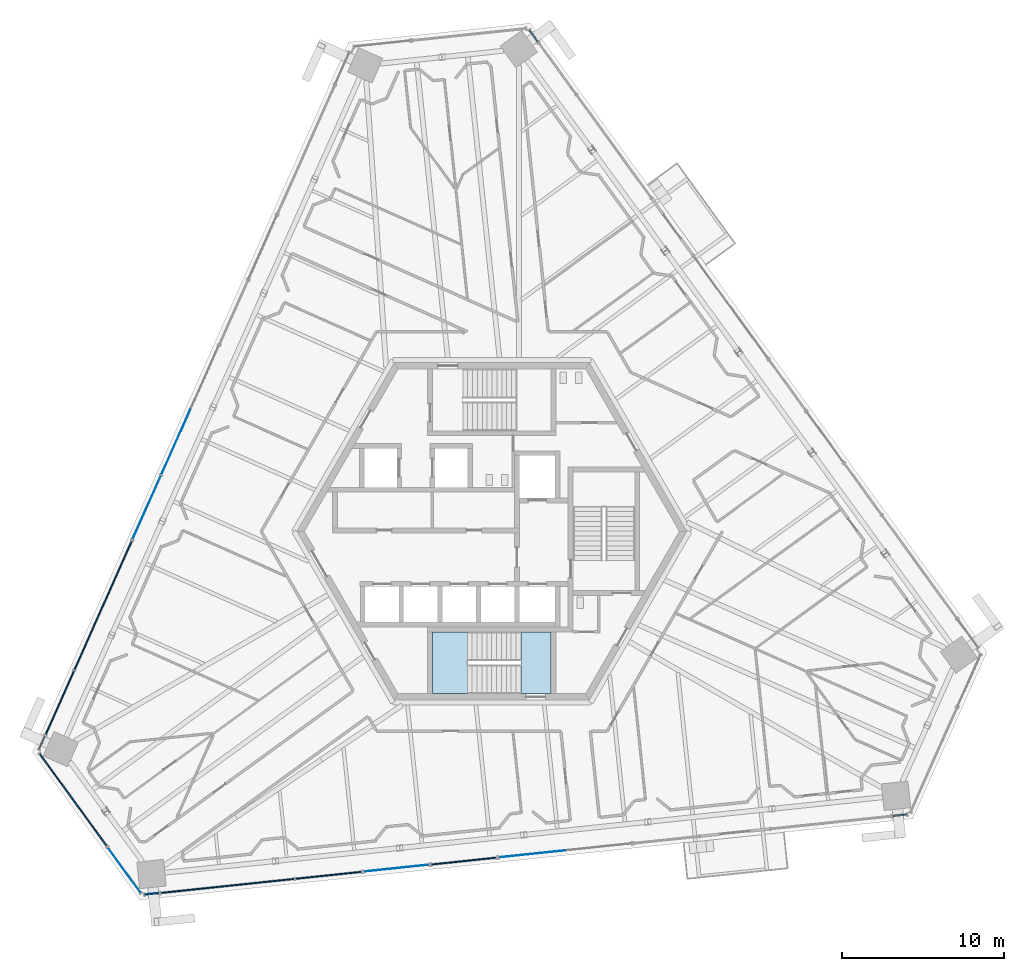
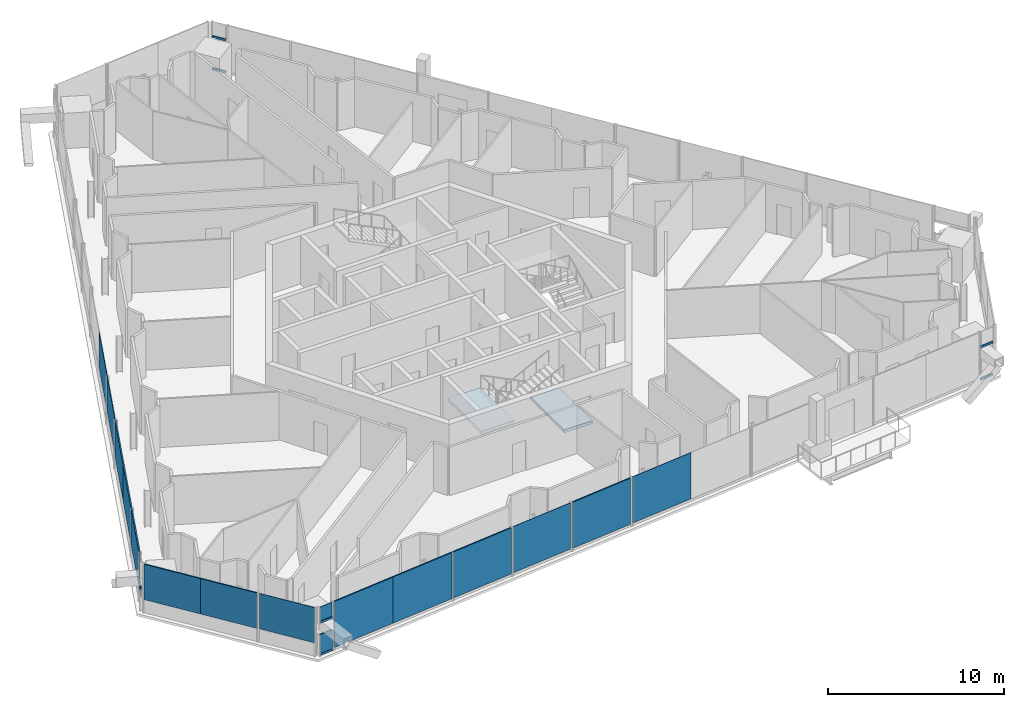
# One storey, part 11 of 26: 17 plates, 6 members, 2 slabs, 16 elements without a shape of their own.
"""IFC4 building model written with IfcOpenShell, lengths in metres."""

from ifc_helpers import new_model, si_unit, direction, frame, origin, origin_2d, place, context, subcontext, project, spatial, polyline, rectangle, outline, extrude, source, transform, mapped, material, layer, layer_set, material_profile, profile_set, type_object, element, aggregate, save


model = new_model("IFC4")

# Units and contexts
model_context = context("Model", 3, precision=1e-05, world=origin(), true_north=direction((0.0, 1.0)))
body_context = subcontext(model_context, "Body", "Model", "MODEL_VIEW")
ifc_project = project(units=[si_unit("LENGTHUNIT", "METRE"), si_unit("AREAUNIT", "SQUARE_METRE"), si_unit("VOLUMEUNIT", "CUBIC_METRE"), si_unit("PLANEANGLEUNIT", "RADIAN"), si_unit("MASSUNIT", "GRAM", prefix="KILO")], contexts=[model_context])

# Site, building, storey
site_placement = place(None, origin())
site = spatial("IfcSite", under=ifc_project, at=site_placement, CompositionType="ELEMENT")
building_placement = place(site_placement, origin())
building = spatial("IfcBuilding", under=site, at=building_placement, Name="Triune Harvest Tower", CompositionType="ELEMENT")
storey_placement = place(building_placement, frame((0.0, 0.0, 252.10009765625)))
storey = spatial("IfcBuildingStorey", under=building, at=storey_placement, Name="L66", CompositionType="ELEMENT", Elevation=252.10009765625)

# Curtain wall, member
ifc_material_1 = material(Name="Aluminium bronze anodised", Category="aluminium")
curtain_wall_type_1 = type_object("IfcCurtainWallType", Name="CW-10 Balcony window wall with insulated spandrel infill", PredefinedType="NOTDEFINED", material=ifc_material_1)
curtain_wall_1_placement = place(storey_placement, origin())
curtain_wall_1 = element("IfcCurtainWall", 1, at=curtain_wall_1_placement, inside=storey, type_object=curtain_wall_type_1, Name="CW-10 B6-F1 L66 run 102")
ifc_material_2 = material(Name="Aluminium bronze anodised", Category="aluminium")
ifc_material_profile = material_profile(ifc_material_2, rectangle(XDim=0.090087890625, YDim=0.14990234375, at=origin_2d()), Name="TR-6 transom 90 x 150")
ifc_profile_set = profile_set([ifc_material_profile], Name="Aluminium bronze anodised")
member_type = type_object("IfcMemberType", Name="TR-6 transom 90 x 150", PredefinedType="USERDEFINED", material=ifc_profile_set)
shared_shape_1 = source(origin(), body_context, "Body", "SweptSolid", [
    extrude(rectangle(XDim=0.090087890625, YDim=0.14990234375, at=origin_2d()), origin(), (0.0, 0.0, 1.0), 0.8466796875),
])
member_1_placement = place(storey_placement, frame((2.82373046875, 30.145263671875, 0.074951171875), z_axis=(-0.587657224731, 0.809109996367, 0.0), x_axis=(-0.809109996367, -0.587657224731, 0.0)))
member_1 = element("IfcMember", 2, at=member_1_placement, type_object=member_type, Name="CW-10 transom B6-F1 102.1", ObjectType="TRANSOM", PredefinedType="USERDEFINED", context=body_context, shape_type="MappedRepresentation", body=[
    mapped(shared_shape_1, transform((0.0, 0.0, 0.0), scale=1.0)),
])
aggregate(curtain_wall_1, [member_1])

ifc_material_3 = material(Name="Aluminium bronze anodised", Category="aluminium")
curtain_wall_type_2 = type_object("IfcCurtainWallType", Name="CW-6 Balcony window wall", PredefinedType="NOTDEFINED", material=ifc_material_3)
curtain_wall_2_placement = place(storey_placement, origin())
curtain_wall_2 = element("IfcCurtainWall", 3, at=curtain_wall_2_placement, inside=storey, type_object=curtain_wall_type_2, Name="CW-6 B6-F1 L66 run 202")
member_2_placement = place(storey_placement, frame((2.82373046875, 30.145263671875, 2.309814453125), z_axis=(-0.587657224731, 0.809109996367, 0.0), x_axis=(-0.809109996367, -0.587657224731, 0.0)))
member_2 = element("IfcMember", 4, at=member_2_placement, type_object=member_type, Name="CW-6 transom B6-F1 202.1", ObjectType="TRANSOM", PredefinedType="USERDEFINED", context=body_context, shape_type="MappedRepresentation", body=[
    mapped(shared_shape_1, transform((0.0, 0.0, 0.0), scale=1.0)),
])
aggregate(curtain_wall_2, [member_2])

curtain_wall_3_placement = place(storey_placement, origin())
curtain_wall_3 = element("IfcCurtainWall", 5, at=curtain_wall_3_placement, inside=storey, type_object=curtain_wall_type_1, Name="CW-10 B6-F5 L66 run 1")
member_3_placement = place(storey_placement, frame((-21.35498046875, -22.358154296875, 0.074951171875), z_axis=(0.994507032789, 0.104669774689, 0.0), x_axis=(-0.104669774689, 0.994507032789, 0.0)))
member_3 = element("IfcMember", 6, at=member_3_placement, type_object=member_type, Name="CW-10 transom B6-F5 1.1", ObjectType="TRANSOM", PredefinedType="USERDEFINED", context=body_context, shape_type="MappedRepresentation", body=[
    mapped(shared_shape_1, transform((0.0, 0.0, 0.0), scale=1.0)),
])

curtain_wall_4_placement = place(storey_placement, origin())
curtain_wall_4 = element("IfcCurtainWall", 7, at=curtain_wall_4_placement, inside=storey, type_object=curtain_wall_type_2, Name="CW-6 B6-F5 L66 run 101")
member_4_placement = place(storey_placement, frame((-21.35498046875, -22.358154296875, 2.309814453125), z_axis=(0.994507032789, 0.104669774689, 0.0), x_axis=(-0.104669774689, 0.994507032789, 0.0)))
member_4 = element("IfcMember", 8, at=member_4_placement, type_object=member_type, Name="CW-6 transom B6-F5 101.1", ObjectType="TRANSOM", PredefinedType="USERDEFINED", context=body_context, shape_type="MappedRepresentation", body=[
    mapped(shared_shape_1, transform((0.0, 0.0, 0.0), scale=1.0)),
])

curtain_wall_5_placement = place(storey_placement, origin())
curtain_wall_5 = element("IfcCurtainWall", 9, at=curtain_wall_5_placement, inside=storey, type_object=curtain_wall_type_1, Name="CW-10 B6-F5 L66 run 102")
shared_shape_2 = source(origin(), body_context, "Body", "SweptSolid", [
    extrude(rectangle(XDim=0.090087890625, YDim=0.14990234375, at=origin_2d()), origin(), (0.0, 0.0, 1.0), 0.846923828125),
])
member_5_placement = place(storey_placement, frame((24.694580078125, -17.51806640625, 0.074951171875), z_axis=(0.994510190486, 0.104639767869, 0.0), x_axis=(-0.104639767869, 0.994510190486, 0.0)))
member_5 = element("IfcMember", 10, at=member_5_placement, type_object=member_type, Name="CW-10 transom B6-F5 102.1", ObjectType="TRANSOM", PredefinedType="USERDEFINED", context=body_context, shape_type="MappedRepresentation", body=[
    mapped(shared_shape_2, transform((0.0, 0.0, 0.0), scale=1.0)),
])
aggregate(curtain_wall_5, [member_5])

curtain_wall_6_placement = place(storey_placement, origin())
curtain_wall_6 = element("IfcCurtainWall", 11, at=curtain_wall_6_placement, inside=storey, type_object=curtain_wall_type_2, Name="CW-6 B6-F5 L66 run 202")
member_6_placement = place(storey_placement, frame((24.694580078125, -17.51806640625, 2.309814453125), z_axis=(0.994510190486, 0.104639767869, 0.0), x_axis=(-0.104639767869, 0.994510190486, 0.0)))
member_6 = element("IfcMember", 12, at=member_6_placement, type_object=member_type, Name="CW-6 transom B6-F5 202.1", ObjectType="TRANSOM", PredefinedType="USERDEFINED", context=body_context, shape_type="MappedRepresentation", body=[
    mapped(shared_shape_2, transform((0.0, 0.0, 0.0), scale=1.0)),
])
aggregate(curtain_wall_6, [member_6])

# Curtain wall, plates
ifc_material_4 = material(Name="Aluminium bronze anodised", Category="aluminium")
curtain_wall_type_3 = type_object("IfcCurtainWallType", Name="CW-1 Tower stick curtain wall", PredefinedType="NOTDEFINED", material=ifc_material_4)
curtain_wall_7_placement = place(storey_placement, origin())
curtain_wall_7 = element("IfcCurtainWall", 13, at=curtain_wall_7_placement, inside=storey, type_object=curtain_wall_type_3, Name="CW-1 B6-F3 L66 run 3201")
ifc_material_5 = material(Name="Glass", Category="glass")
ifc_layer_1 = layer(ifc_material_5, 0.031982421875)
ifc_layer_set_1 = layer_set([ifc_layer_1], Name="Glass")
plate_type_1 = type_object("IfcPlateType", Name="GL-1 panel 32", PredefinedType="CURTAIN_PANEL", material=ifc_layer_set_1)
plate_1_placement = place(storey_placement, frame((-19.455322265625, 5.48291015625, 0.89990234375), z_axis=(0.0, 0.0, 1.0), x_axis=(-0.406733726114, -0.913546756352, 0.0)))
plate_1 = element("IfcPlate", 14, at=plate_1_placement, type_object=plate_type_1, Name="CW-1 panel B6-F3 3201.2", PredefinedType="CURTAIN_PANEL", context=body_context, shape_type="SweptSolid", body=[
    extrude(rectangle(XDim=4.346923828125, YDim=0.031982421875, at=origin_2d()), origin(), (0.0, 0.0, 1.0), 2.449951171875),
])
plate_2_placement = place(storey_placement, frame((-21.23876953125, 1.4775390625, 0.89990234375), z_axis=(0.0, 0.0, 1.0), x_axis=(-0.406733726114, -0.913546756352, 0.0)))
plate_2 = element("IfcPlate", 15, at=plate_2_placement, type_object=plate_type_1, Name="CW-1 panel B6-F3 3201.3", PredefinedType="CURTAIN_PANEL", context=body_context, shape_type="SweptSolid", body=[
    extrude(rectangle(XDim=4.27197265625, YDim=0.031982421875, at=origin_2d()), origin(), (0.0, 0.0, 1.0), 2.449951171875),
])
aggregate(curtain_wall_7, [plate_1, plate_2])

# Curtain wall, plate
curtain_wall_8_placement = place(storey_placement, origin())
curtain_wall_8 = element("IfcCurtainWall", 16, at=curtain_wall_8_placement, inside=storey, type_object=curtain_wall_type_2, Name="CW-6 B6-F5 L66 run 1201")
ifc_material_6 = material(Name="Glass", Category="glass")
ifc_layer_2 = layer(ifc_material_6, 0.030029296875)
ifc_layer_set_2 = layer_set([ifc_layer_2], Name="Glass")
plate_type_2 = type_object("IfcPlateType", Name="GL-6 panel 30", PredefinedType="CURTAIN_PANEL", material=ifc_layer_set_2)
plate_3_placement = place(storey_placement, frame((-5.88671875, -20.732421875, 0.14990234375), z_axis=(0.0, 0.0, 1.0), x_axis=(0.994521432054, 0.104532871319, 0.0)))
plate_3 = element("IfcPlate", 17, at=plate_3_placement, type_object=plate_type_2, Name="CW-6 panel B6-F5 1201.1", PredefinedType="CURTAIN_PANEL", context=body_context, shape_type="SweptSolid", body=[
    extrude(rectangle(XDim=4.030517578125, YDim=0.030029296875, at=origin_2d()), origin(), (0.0, 0.0, 1.0), 3.199951171875),
])
aggregate(curtain_wall_8, [plate_3])

# Curtain wall, plates
ifc_material_7 = material(Name="Aluminium bronze anodised", Category="aluminium")
curtain_wall_type_4 = type_object("IfcCurtainWallType", Name="CW-7 Tower stick curtain wall with insulated spandrel infill", PredefinedType="NOTDEFINED", material=ifc_material_7)
curtain_wall_9_placement = place(storey_placement, origin())
curtain_wall_9 = element("IfcCurtainWall", 18, at=curtain_wall_9_placement, inside=storey, type_object=curtain_wall_type_4, Name="CW-7 B6-F3 L66 run 4201")
ifc_material_8 = material(Name="Insulated spandrel panel, bronze aluminium pan", Category="aluminium")
ifc_layer_3 = layer(ifc_material_8, 0.080078125)
ifc_layer_set_3 = layer_set([ifc_layer_3], Name="Insulated spandrel panel, bronze aluminium pan")
plate_type_3 = type_object("IfcPlateType", Name="SP-1 insulated spandrel panel 80", PredefinedType="CURTAIN_PANEL", material=ifc_layer_set_3)
plate_4_placement = place(storey_placement, frame((-24.805419921875, -6.533447265625, 0.89990234375), z_axis=(0.0, 0.0, 1.0), x_axis=(-0.406740070891, -0.913543931473, 0.0)))
plate_4 = element("IfcPlate", 19, at=plate_4_placement, type_object=plate_type_3, Name="CW-7 panel B6-F3 4201.2", PredefinedType="CURTAIN_PANEL", context=body_context, shape_type="SweptSolid", body=[
    extrude(rectangle(XDim=4.346923828125, YDim=0.080078125, at=origin_2d()), origin(), (0.0, 0.0, 1.0), 2.449951171875),
])
plate_5_placement = place(storey_placement, frame((-26.5888671875, -10.538818359375, 0.89990234375), z_axis=(0.0, 0.0, 1.0), x_axis=(-0.406740070891, -0.913543931473, 0.0)))
plate_5 = element("IfcPlate", 20, at=plate_5_placement, type_object=plate_type_3, Name="CW-7 panel B6-F3 4201.3", PredefinedType="CURTAIN_PANEL", context=body_context, shape_type="SweptSolid", body=[
    extrude(rectangle(XDim=4.27197265625, YDim=0.080078125, at=origin_2d()), origin(), (0.0, 0.0, 1.0), 2.449951171875),
])

# Curtain wall, plate
curtain_wall_10_placement = place(storey_placement, origin())
curtain_wall_10 = element("IfcCurtainWall", 21, at=curtain_wall_10_placement, inside=storey, type_object=curtain_wall_type_4, Name="CW-7 B6-F3 L66 run 301")
plate_6_placement = place(storey_placement, frame((-27.69091796875, -13.013916015625, 0.89990234375), z_axis=(0.0, 0.0, 1.0), x_axis=(-0.406715509478, -0.913554866634, 0.0)))
plate_6 = element("IfcPlate", 22, at=plate_6_placement, type_object=plate_type_3, Name="CW-7 panel B6-F3 301.1", PredefinedType="CURTAIN_PANEL", context=body_context, shape_type="SweptSolid", body=[
    extrude(rectangle(XDim=0.8466796875, YDim=0.080078125, at=origin_2d()), origin(), (0.0, 0.0, 1.0), 0.56494140625),
])
aggregate(curtain_wall_10, [plate_6])

# Curtain wall, plates
curtain_wall_11_placement = place(storey_placement, origin())
curtain_wall_11 = element("IfcCurtainWall", 23, at=curtain_wall_11_placement, inside=storey, type_object=curtain_wall_type_1, Name="CW-10 B6-F5 L66 run 201")
plate_7_placement = place(storey_placement, frame((-18.322265625, -22.039306640625, 0.14990234375), z_axis=(0.0, 0.0, 1.0), x_axis=(0.994521519179, 0.104532042404, 0.0)))
plate_7 = element("IfcPlate", 24, at=plate_7_placement, type_object=plate_type_3, Name="CW-10 panel B6-F5 201.1", PredefinedType="CURTAIN_PANEL", context=body_context, shape_type="SweptSolid", body=[
    extrude(rectangle(XDim=4.10546875, YDim=0.080078125, at=origin_2d()), origin(), (0.0, 0.0, 1.0), 3.199951171875),
])
plate_8_placement = place(storey_placement, frame((-14.220458984375, -21.608154296875, 0.14990234375), z_axis=(0.0, 0.0, 1.0), x_axis=(0.994521519179, 0.104532042404, 0.0)))
plate_8 = element("IfcPlate", 25, at=plate_8_placement, type_object=plate_type_3, Name="CW-10 panel B6-F5 201.2", PredefinedType="CURTAIN_PANEL", context=body_context, shape_type="SweptSolid", body=[
    extrude(rectangle(XDim=4.14306640625, YDim=0.080078125, at=origin_2d()), origin(), (0.0, 0.0, 1.0), 3.199951171875),
])
plate_9_placement = place(storey_placement, frame((-10.062744140625, -21.171142578125, 0.14990234375), z_axis=(0.0, 0.0, 1.0), x_axis=(0.994521519179, 0.104532042404, 0.0)))
plate_9 = element("IfcPlate", 26, at=plate_9_placement, type_object=plate_type_3, Name="CW-10 panel B6-F5 201.3", PredefinedType="CURTAIN_PANEL", context=body_context, shape_type="SweptSolid", body=[
    extrude(rectangle(XDim=4.068115234375, YDim=0.080078125, at=origin_2d()), origin(), (0.0, 0.0, 1.0), 3.199951171875),
])
aggregate(curtain_wall_11, [plate_7, plate_8, plate_9])

# Stair, slabs
ifc_material_9 = material(Name="Concrete 40 MPa", Category="concrete")
stair_type = type_object("IfcStairType", Name="Exit stair 1800 half turn", PredefinedType="HALF_TURN_STAIR", material=ifc_material_9)
stair_placement = place(storey_placement, origin())
stair = element("IfcStair", 27, at=stair_placement, inside=storey, type_object=stair_type, Name="Exit stair south", PredefinedType="HALF_TURN_STAIR")
ifc_material_10 = material(Name="Concrete 40 MPa", Category="concrete")
ifc_layer_4 = layer(ifc_material_10, 0.199951171875)
ifc_layer_set_4 = layer_set([ifc_layer_4], Name="Concrete 40 MPa")
slab_type = type_object("IfcSlabType", Name="Stair landing 200", PredefinedType="LANDING", material=ifc_layer_set_4)
shared_shape_3 = source(origin(), body_context, "Body", "SweptSolid", [
    extrude(outline(polyline([(-1.510009765625, -6.18994140625), (-3.64990234375, -6.18994140625), (-3.64990234375, -9.989990234375), (-1.510009765625, -9.989990234375), (-1.510009765625, -6.18994140625)])), origin(), (0.0, 0.0, 1.0), 0.199951171875),
])
slab_1_placement = place(storey_placement, frame((0.0, 0.0, 1.599853515625)))
slab_1 = element("IfcSlab", 28, at=slab_1_placement, type_object=slab_type, Name="ST-2 landing 2", PredefinedType="LANDING", context=body_context, shape_type="MappedRepresentation", body=[
    mapped(shared_shape_3, transform((0.0, 0.0, 0.0), scale=1.0)),
])
shared_shape_4 = source(origin(), body_context, "Body", "SweptSolid", [
    extrude(outline(polyline([(3.64990234375, -6.18994140625), (1.780029296875, -6.18994140625), (1.780029296875, -9.989990234375), (3.64990234375, -9.989990234375), (3.64990234375, -6.18994140625)])), origin(), (0.0, 0.0, 1.0), 0.2001953125),
])
slab_2_placement = place(storey_placement, frame((0.0, 0.0, -0.2001953125)))
slab_2 = element("IfcSlab", 29, at=slab_2_placement, type_object=slab_type, Name="ST-2 landing 1", PredefinedType="LANDING", context=body_context, shape_type="MappedRepresentation", body=[
    mapped(shared_shape_4, transform((0.0, 0.0, 0.0), scale=1.0)),
])
aggregate(stair, [slab_2, slab_1])

# Plate
shared_shape_5 = source(origin(), body_context, "Body", "SweptSolid", [
    extrude(rectangle(XDim=0.8466796875, YDim=0.080078125, at=origin_2d()), origin(), (0.0, 0.0, 1.0), 1.31494140625),
])
plate_10_placement = place(storey_placement, frame((-20.933837890625, -22.31396484375, 0.14990234375), z_axis=(0.0, 0.0, 1.0), x_axis=(0.994520834487, 0.10453855639, 0.0)))
plate_10 = element("IfcPlate", 30, at=plate_10_placement, type_object=plate_type_3, Name="CW-10 panel B6-F5 1.1", PredefinedType="CURTAIN_PANEL", context=body_context, shape_type="MappedRepresentation", body=[
    mapped(shared_shape_5, transform((0.0, 0.0, 0.0), scale=1.0)),
])

aggregate(curtain_wall_3, [member_3, plate_10])

shared_shape_6 = source(origin(), body_context, "Body", "SweptSolid", [
    extrude(rectangle(XDim=0.8466796875, YDim=0.030029296875, at=origin_2d()), origin(), (0.0, 0.0, 1.0), 0.965087890625),
])
plate_11_placement = place(storey_placement, frame((-20.933837890625, -22.31396484375, 2.384765625), z_axis=(0.0, 0.0, 1.0), x_axis=(0.994520834487, 0.10453855639, 0.0)))
plate_11 = element("IfcPlate", 31, at=plate_11_placement, type_object=plate_type_2, Name="CW-6 panel B6-F5 101.1", PredefinedType="CURTAIN_PANEL", context=body_context, shape_type="MappedRepresentation", body=[
    mapped(shared_shape_6, transform((0.0, 0.0, 0.0), scale=1.0)),
])

aggregate(curtain_wall_4, [member_4, plate_11])

# Curtain wall, plates
curtain_wall_12_placement = place(storey_placement, origin())
curtain_wall_12 = element("IfcCurtainWall", 32, at=curtain_wall_12_placement, inside=storey, type_object=curtain_wall_type_4, Name="CW-7 B6-F4 L66 run 1")
shared_shape_7 = source(origin(), body_context, "Body", "SweptSolid", [
    extrude(rectangle(XDim=3.500732421875, YDim=0.080078125, at=origin_2d()), origin(), (0.0, 0.0, 1.0), 2.449951171875),
])
plate_12_placement = place(storey_placement, frame((-26.80419921875, -15.10107421875, 0.89990234375), z_axis=(0.0, 0.0, 1.0), x_axis=(0.587793983691, -0.80901065057, 0.0)))
plate_12 = element("IfcPlate", 33, at=plate_12_placement, type_object=plate_type_3, Name="CW-7 panel B6-F4 1.1", PredefinedType="CURTAIN_PANEL", context=body_context, shape_type="MappedRepresentation", body=[
    mapped(shared_shape_7, transform((0.0, 0.0, 0.0), scale=1.0)),
])
plate_13_placement = place(storey_placement, frame((-24.74658203125, -17.93310546875, 0.89990234375), z_axis=(0.0, 0.0, 1.0), x_axis=(0.587793983691, -0.80901065057, 0.0)))
plate_13 = element("IfcPlate", 34, at=plate_13_placement, type_object=plate_type_3, Name="CW-7 panel B6-F4 1.2", PredefinedType="CURTAIN_PANEL", context=body_context, shape_type="MappedRepresentation", body=[
    mapped(shared_shape_7, transform((0.0, 0.0, 0.0), scale=1.0)),
])
aggregate(curtain_wall_12, [plate_12, plate_13])

# Curtain wall, plate
curtain_wall_13_placement = place(storey_placement, origin())
curtain_wall_13 = element("IfcCurtainWall", 35, at=curtain_wall_13_placement, inside=storey, type_object=curtain_wall_type_3, Name="CW-1 B6-F4 L66 run 1001")
shared_shape_8 = source(origin(), body_context, "Body", "SweptSolid", [
    extrude(rectangle(XDim=3.42578125, YDim=0.031982421875, at=origin_2d()), origin(), (0.0, 0.0, 1.0), 2.449951171875),
])
plate_14_placement = place(storey_placement, frame((-22.622802734375, -20.856201171875, 0.89990234375), z_axis=(0.0, 0.0, 1.0), x_axis=(0.587778840632, -0.80902165268, 0.0)))
plate_14 = element("IfcPlate", 36, at=plate_14_placement, type_object=plate_type_1, Name="CW-1 panel B6-F4 1001.1", PredefinedType="CURTAIN_PANEL", context=body_context, shape_type="MappedRepresentation", body=[
    mapped(shared_shape_8, transform((0.0, 0.0, 0.0), scale=1.0)),
])
aggregate(curtain_wall_13, [plate_14])

# Plate
shared_shape_9 = source(origin(), body_context, "Body", "SweptSolid", [
    extrude(rectangle(XDim=4.3095703125, YDim=0.080078125, at=origin_2d()), origin(), (0.0, 0.0, 1.0), 2.449951171875),
])
plate_15_placement = place(storey_placement, frame((-23.044921875, -2.579345703125, 0.89990234375), z_axis=(0.0, 0.0, 1.0), x_axis=(-0.406740070891, -0.913543931473, 0.0)))
plate_15 = element("IfcPlate", 37, at=plate_15_placement, type_object=plate_type_3, Name="CW-7 panel B6-F3 4201.1", PredefinedType="CURTAIN_PANEL", context=body_context, shape_type="MappedRepresentation", body=[
    mapped(shared_shape_9, transform((0.0, 0.0, 0.0), scale=1.0)),
])

aggregate(curtain_wall_9, [plate_15, plate_4, plate_5])

# Curtain wall, plate
curtain_wall_14_placement = place(storey_placement, origin())
curtain_wall_14 = element("IfcCurtainWall", 38, at=curtain_wall_14_placement, inside=storey, type_object=curtain_wall_type_1, Name="CW-10 B6-F5 L66 run 2201")
shared_shape_10 = source(origin(), body_context, "Body", "SweptSolid", [
    extrude(rectangle(XDim=4.030517578125, YDim=0.080078125, at=origin_2d()), origin(), (0.0, 0.0, 1.0), 3.199951171875),
])
plate_16_placement = place(storey_placement, frame((-1.72900390625, -20.29541015625, 0.14990234375), z_axis=(0.0, 0.0, 1.0), x_axis=(0.994524179821, 0.104506725871, 0.0)))
plate_16 = element("IfcPlate", 39, at=plate_16_placement, type_object=plate_type_3, Name="CW-10 panel B6-F5 2201.1", PredefinedType="CURTAIN_PANEL", context=body_context, shape_type="MappedRepresentation", body=[
    mapped(shared_shape_10, transform((0.0, 0.0, 0.0), scale=1.0)),
])
aggregate(curtain_wall_14, [plate_16])

curtain_wall_15_placement = place(storey_placement, origin())
curtain_wall_15 = element("IfcCurtainWall", 40, at=curtain_wall_15_placement, inside=storey, type_object=curtain_wall_type_2, Name="CW-6 B6-F5 L66 run 3201")
shared_shape_11 = source(origin(), body_context, "Body", "SweptSolid", [
    extrude(rectangle(XDim=4.10546875, YDim=0.030029296875, at=origin_2d()), origin(), (0.0, 0.0, 1.0), 3.199951171875),
])
plate_17_placement = place(storey_placement, frame((2.466064453125, -19.8544921875, 0.14990234375), z_axis=(0.0, 0.0, 1.0), x_axis=(0.994521562743, 0.104531627937, 0.0)))
plate_17 = element("IfcPlate", 41, at=plate_17_placement, type_object=plate_type_2, Name="CW-6 panel B6-F5 3201.1", PredefinedType="CURTAIN_PANEL", context=body_context, shape_type="MappedRepresentation", body=[
    mapped(shared_shape_11, transform((0.0, 0.0, 0.0), scale=1.0)),
])
aggregate(curtain_wall_15, [plate_17])

save(model, "model.ifc")
